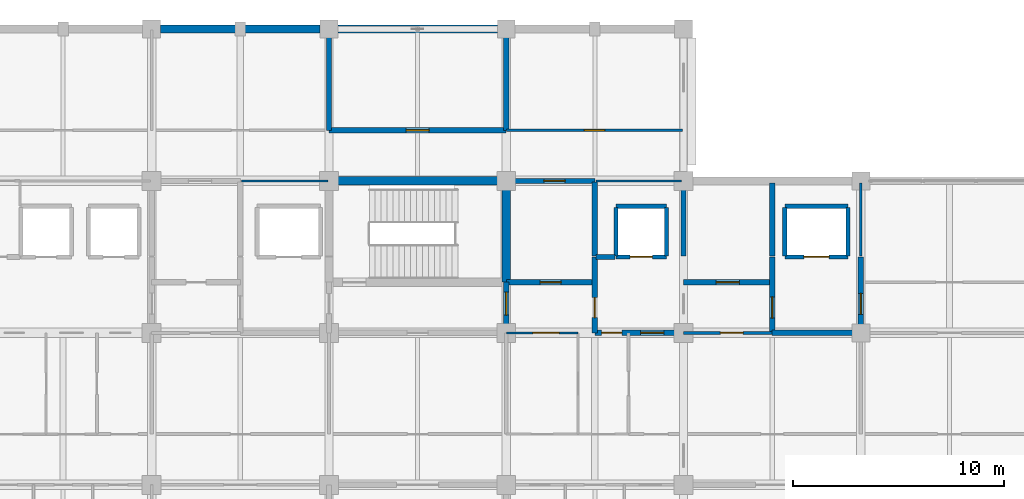
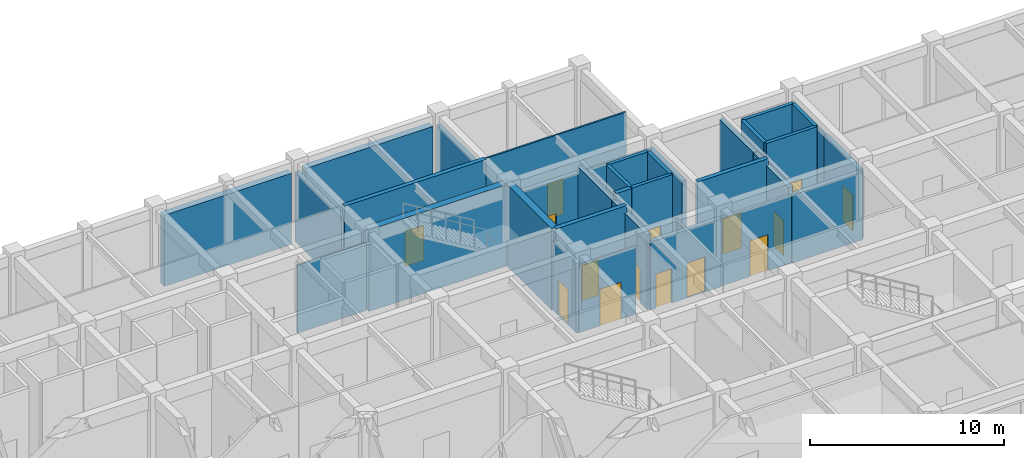
# One storey, part 44 of 58: 34 walls, 15 doors, 15 openings.
"""IFC4 building model written with IfcOpenShell, lengths in metres."""

from ifc_helpers import new_model, si_unit, direction, frame, frame_2d, origin, place, context, subcontext, project, spatial, rectangle, extrude, material, layer, layer_set, type_object, element, fill, save


model = new_model("IFC4")

# Units and contexts
model_context = context("Model", 3, precision=1e-05, world=origin(), true_north=direction((0.0, 1.0)))
body_context = subcontext(model_context, "Body", "Model", "MODEL_VIEW")
ifc_project = project(units=[si_unit("LENGTHUNIT", "METRE"), si_unit("AREAUNIT", "SQUARE_METRE"), si_unit("VOLUMEUNIT", "CUBIC_METRE"), si_unit("PLANEANGLEUNIT", "RADIAN"), si_unit("MASSUNIT", "GRAM", prefix="KILO")], contexts=[model_context])

# Site, building, storey
site_placement = place(None, origin())
site = spatial("IfcSite", under=ifc_project, at=site_placement, CompositionType="ELEMENT")
building_placement = place(site_placement, origin())
building = spatial("IfcBuilding", under=site, at=building_placement, Name="Chengyuan Square Courthouse", CompositionType="ELEMENT")
storey_placement = place(building_placement, frame((0.0, 0.0, 16.199951171875)))
storey = spatial("IfcBuildingStorey", under=building, at=storey_placement, Name="L04", CompositionType="ELEMENT", Elevation=16.199951171875)

# Walls
ifc_material_1 = material(Name="Concrete C40", Category="concrete")
ifc_layer_1 = layer(ifc_material_1, 0.3798828125)
ifc_layer_set_1 = layer_set([ifc_layer_1], Name="Concrete C40")
wall_type_1 = type_object("IfcWallType", Name="WL-EW1", PredefinedType="STANDARD", material=ifc_layer_set_1)
wall_1_placement = place(storey_placement, frame((92.820068359375, 115.199951171875, 0.0), z_axis=(0.0, 0.0, 1.0), x_axis=(1.0, 0.0, 0.0)))
element("IfcWall", 1, at=wall_1_placement, inside=storey, type_object=wall_type_1, Name="Exterior Wall WL-L04-E320", PredefinedType="STANDARD", context=body_context, shape_type="SweptSolid", body=[
    extrude(rectangle(XDim=7.559814453125, YDim=0.3798828125, at=frame_2d((3.77978515625, 0.0))), origin(), (0.0, 0.0, 1.0), 4.469970703125),
])
wall_2_placement = place(storey_placement, frame((101.219970703125, 115.199951171875, 0.0), z_axis=(0.0, 0.0, 1.0), x_axis=(1.0, 0.0, 0.0)))
element("IfcWall", 2, at=wall_2_placement, inside=storey, type_object=wall_type_1, Name="Exterior Wall WL-L04-E321", PredefinedType="STANDARD", context=body_context, shape_type="SweptSolid", body=[
    extrude(rectangle(XDim=7.56005859375, YDim=0.3798828125, at=frame_2d((3.780029296875, 0.0))), origin(), (0.0, 0.0, 1.0), 4.469970703125),
])

# Wall, openings, doors
ifc_layer_2 = layer(ifc_material_1, 0.25)
ifc_layer_set_2 = layer_set([ifc_layer_2], Name="Concrete C40")
wall_type_2 = type_object("IfcWallType", Name="WL-FW1", PredefinedType="STANDARD", material=ifc_layer_set_2)
wall_3_placement = place(storey_placement, frame((113.39990234375, 100.800048828125, 0.0), z_axis=(0.0, 0.0, 1.0), x_axis=(1.0, 0.0, 0.0)))
wall_3 = element("IfcWall", 3, at=wall_3_placement, inside=storey, type_object=wall_type_2, Name="Interior Wall WL-L04-I1851", PredefinedType="STANDARD", context=body_context, shape_type="SweptSolid", body=[
    extrude(rectangle(XDim=4.2001953125, YDim=0.25, at=frame_2d((2.10009765625, 0.0))), origin(), (0.0, 0.0, 1.0), 4.27001953125),
])
opening_1_placement = place(wall_3_placement, frame((0.324951171875, 0.0, 0.0)))
opening_1 = element("IfcOpeningElement", 4, at=opening_1_placement, cuts=wall_3, Name="Opening DR-1708", PredefinedType="OPENING", context=body_context, shape_type="SweptSolid", body=[
    extrude(rectangle(XDim=0.949951171875, YDim=2.14990234375, at=frame_2d((0.47509765625, 1.074951171875))), frame((0.0, 0.136962890625, 0.0), z_axis=(0.0, -1.0, 0.0), x_axis=(1.0, 0.0, 0.0)), (0.0, 0.0, 1.0), 0.27392578125),
])
opening_2_placement = place(wall_3_placement, frame((2.1650390625, 0.0, 0.0)))
opening_2 = element("IfcOpeningElement", 5, at=opening_2_placement, cuts=wall_3, Name="Opening DR-1709", PredefinedType="OPENING", context=body_context, shape_type="SweptSolid", body=[
    extrude(rectangle(XDim=1.10009765625, YDim=2.199951171875, at=frame_2d((0.550048828125, 1.10009765625))), frame((0.0, 0.136962890625, 0.0), z_axis=(0.0, -1.0, 0.0), x_axis=(1.0, 0.0, 0.0)), (0.0, 0.0, 1.0), 0.27392578125),
])
ifc_material_2 = material(Name="Steel Q235B Fire Door", Category="steel")
door_type_1 = type_object("IfcDoorType", Name="DT-10", OperationType="NOTDEFINED", PredefinedType="DOOR", material=ifc_material_2)
door_1_placement = place(opening_2_placement, origin())
door_1 = element("IfcDoor", 6, at=door_1_placement, inside=storey, type_object=door_type_1, Name="Interior Door DR-1709", OperationType="SINGLE_SWING_RIGHT", OverallHeight=2.199951171875, OverallWidth=1.10009765625, PredefinedType="DOOR", context=body_context, shape_type="SweptSolid", body=[
    extrude(rectangle(XDim=1.10009765625, YDim=2.199951171875, at=frame_2d((0.550048828125, 1.10009765625))), frame((0.0, 0.02490234375, 0.0), z_axis=(0.0, -1.0, 0.0), x_axis=(1.0, 0.0, 0.0)), (0.0, 0.0, 1.0), 0.050048828125),
])
fill(opening_2, door_1)
door_type_2 = type_object("IfcDoorType", Name="DT-12", OperationType="NOTDEFINED", PredefinedType="DOOR", material=ifc_material_2)
door_2_placement = place(opening_1_placement, origin())
door_2 = element("IfcDoor", 7, at=door_2_placement, inside=storey, type_object=door_type_2, Name="Interior Door DR-1708", OperationType="SINGLE_SWING_LEFT", OverallHeight=2.14990234375, OverallWidth=0.949951171875, PredefinedType="DOOR", context=body_context, shape_type="SweptSolid", body=[
    extrude(rectangle(XDim=0.949951171875, YDim=2.14990234375, at=frame_2d((0.47509765625, 1.074951171875))), frame((0.0, 0.02490234375, 0.0), z_axis=(0.0, -1.0, 0.0), x_axis=(1.0, 0.0, 0.0)), (0.0, 0.0, 1.0), 0.050048828125),
])
fill(opening_1, door_2)

# Wall
wall_4_placement = place(storey_placement, frame((121.800048828125, 100.800048828125, 0.0), z_axis=(0.0, 0.0, 1.0), x_axis=(1.0, 0.0, 0.0)))
element("IfcWall", 8, at=wall_4_placement, inside=storey, type_object=wall_type_2, Name="Interior Wall WL-L04-I1853", PredefinedType="STANDARD", context=body_context, shape_type="SweptSolid", body=[
    extrude(rectangle(XDim=4.199951171875, YDim=0.25, at=frame_2d((2.10009765625, 0.0))), origin(), (0.0, 0.0, 1.0), 4.27001953125),
])

# Wall, opening, door
wall_5_placement = place(storey_placement, frame((109.199951171875, 103.199951171875, 0.0), z_axis=(0.0, 0.0, 1.0), x_axis=(1.0, 0.0, 0.0)))
wall_5 = element("IfcWall", 9, at=wall_5_placement, inside=storey, type_object=wall_type_2, Name="Interior Wall WL-L04-I1866", PredefinedType="STANDARD", context=body_context, shape_type="SweptSolid", body=[
    extrude(rectangle(XDim=4.199951171875, YDim=0.25, at=frame_2d((2.10009765625, 0.0))), origin(), (0.0, 0.0, 1.0), 5.1201171875),
])
opening_3_placement = place(wall_5_placement, frame((1.60009765625, 0.0, 0.0)))
opening_3 = element("IfcOpeningElement", 10, at=opening_3_placement, cuts=wall_5, Name="Opening DR-1704", PredefinedType="OPENING", context=body_context, shape_type="SweptSolid", body=[
    extrude(rectangle(XDim=1.0, YDim=2.199951171875, at=frame_2d((0.5, 1.10009765625))), frame((0.0, 0.136962890625, 0.0), z_axis=(0.0, -1.0, 0.0), x_axis=(1.0, 0.0, 0.0)), (0.0, 0.0, 1.0), 0.27392578125),
])
door_type_3 = type_object("IfcDoorType", Name="DT-11", OperationType="NOTDEFINED", PredefinedType="DOOR", material=ifc_material_2)
door_3_placement = place(opening_3_placement, origin())
door_3 = element("IfcDoor", 11, at=door_3_placement, inside=storey, type_object=door_type_3, Name="Interior Door DR-1704", OperationType="SINGLE_SWING_LEFT", OverallHeight=2.199951171875, OverallWidth=1.0, PredefinedType="DOOR", context=body_context, shape_type="SweptSolid", body=[
    extrude(rectangle(XDim=1.0, YDim=2.199951171875, at=frame_2d((0.5, 1.10009765625))), frame((0.0, 0.02490234375, 0.0), z_axis=(0.0, -1.0, 0.0), x_axis=(1.0, 0.0, 0.0)), (0.0, 0.0, 1.0), 0.050048828125),
])
fill(opening_3, door_3)

wall_6_placement = place(storey_placement, frame((117.60009765625, 103.199951171875, 0.0), z_axis=(0.0, 0.0, 1.0), x_axis=(1.0, 0.0, 0.0)))
wall_6 = element("IfcWall", 12, at=wall_6_placement, inside=storey, type_object=wall_type_2, Name="Interior Wall WL-L04-I1867", PredefinedType="STANDARD", context=body_context, shape_type="SweptSolid", body=[
    extrude(rectangle(XDim=4.199951171875, YDim=0.25, at=frame_2d((2.10009765625, 0.0))), origin(), (0.0, 0.0, 1.0), 5.1201171875),
])
opening_4_placement = place(wall_6_placement, frame((1.550048828125, 0.0, 0.0)))
opening_4 = element("IfcOpeningElement", 13, at=opening_4_placement, cuts=wall_6, Name="Opening DR-1682", PredefinedType="OPENING", context=body_context, shape_type="SweptSolid", body=[
    extrude(rectangle(XDim=1.10009765625, YDim=2.199951171875, at=frame_2d((0.550048828125, 1.10009765625))), frame((0.0, 0.136962890625, 0.0), z_axis=(0.0, -1.0, 0.0), x_axis=(1.0, 0.0, 0.0)), (0.0, 0.0, 1.0), 0.27392578125),
])
door_4_placement = place(opening_4_placement, origin())
door_4 = element("IfcDoor", 14, at=door_4_placement, inside=storey, type_object=door_type_1, Name="Interior Door DR-1682", OperationType="SINGLE_SWING_RIGHT", OverallHeight=2.199951171875, OverallWidth=1.10009765625, PredefinedType="DOOR", context=body_context, shape_type="SweptSolid", body=[
    extrude(rectangle(XDim=1.10009765625, YDim=2.199951171875, at=frame_2d((0.550048828125, 1.10009765625))), frame((0.0, 0.02490234375, 0.0), z_axis=(0.0, -1.0, 0.0), x_axis=(1.0, 0.0, 0.0)), (0.0, 0.0, 1.0), 0.050048828125),
])
fill(opening_4, door_4)

# Wall
wall_7_placement = place(storey_placement, frame((113.449951171875, 104.39990234375, 0.0), z_axis=(0.0, 0.0, 1.0), x_axis=(1.0, 0.0, 0.0)))
element("IfcWall", 15, at=wall_7_placement, inside=storey, type_object=wall_type_2, Name="Interior Wall WL-L04-I1879", PredefinedType="STANDARD", context=body_context, shape_type="SweptSolid", body=[
    extrude(rectangle(XDim=0.900146484375, YDim=0.25, at=frame_2d((0.4501953125, 0.0))), origin(), (0.0, 0.0, 1.0), 5.1201171875),
])

# Wall, opening, door
wall_8_placement = place(storey_placement, frame((109.199951171875, 108.0, 0.0), z_axis=(0.0, 0.0, 1.0), x_axis=(1.0, 0.0, 0.0)))
wall_8 = element("IfcWall", 16, at=wall_8_placement, inside=storey, type_object=wall_type_2, Name="Interior Wall WL-L04-I1903", PredefinedType="STANDARD", context=body_context, shape_type="SweptSolid", body=[
    extrude(rectangle(XDim=4.199951171875, YDim=0.25, at=frame_2d((2.10009765625, 0.0))), origin(), (0.0, 0.0, 1.0), 4.27001953125),
])
opening_5_placement = place(wall_8_placement, frame((1.784912109375, 0.0, 0.0)))
opening_5 = element("IfcOpeningElement", 17, at=opening_5_placement, cuts=wall_8, Name="Opening DR-1707", PredefinedType="OPENING", context=body_context, shape_type="SweptSolid", body=[
    extrude(rectangle(XDim=1.0, YDim=2.199951171875, at=frame_2d((0.5, 1.10009765625))), frame((0.0, 0.136962890625, 0.0), z_axis=(0.0, -1.0, 0.0), x_axis=(1.0, 0.0, 0.0)), (0.0, 0.0, 1.0), 0.27392578125),
])
door_5_placement = place(opening_5_placement, origin())
door_5 = element("IfcDoor", 18, at=door_5_placement, inside=storey, type_object=door_type_3, Name="Interior Door DR-1707", OperationType="SINGLE_SWING_RIGHT", OverallHeight=2.199951171875, OverallWidth=1.0, PredefinedType="DOOR", context=body_context, shape_type="SweptSolid", body=[
    extrude(rectangle(XDim=1.0, YDim=2.199951171875, at=frame_2d((0.5, 1.10009765625))), frame((0.0, 0.02490234375, 0.0), z_axis=(0.0, -1.0, 0.0), x_axis=(1.0, 0.0, 0.0)), (0.0, 0.0, 1.0), 0.050048828125),
])
fill(opening_5, door_5)

wall_9_placement = place(storey_placement, frame((100.800048828125, 110.39990234375, 0.0), z_axis=(0.0, 0.0, 1.0), x_axis=(1.0, 0.0, 0.0)))
wall_9 = element("IfcWall", 19, at=wall_9_placement, inside=storey, type_object=wall_type_2, Name="Interior Wall WL-L04-I1908", PredefinedType="STANDARD", context=body_context, shape_type="SweptSolid", body=[
    extrude(rectangle(XDim=8.39990234375, YDim=0.25, at=frame_2d((4.199951171875, 0.0))), origin(), (0.0, 0.0, 1.0), 5.1201171875),
])
opening_6_placement = place(wall_9_placement, frame((3.64990234375, 0.0, 0.0)))
opening_6 = element("IfcOpeningElement", 20, at=opening_6_placement, cuts=wall_9, Name="Opening DR-1868", PredefinedType="OPENING", context=body_context, shape_type="SweptSolid", body=[
    extrude(rectangle(XDim=1.10009765625, YDim=2.199951171875, at=frame_2d((0.550048828125, 1.10009765625))), frame((0.0, 0.136962890625, 0.0), z_axis=(0.0, -1.0, 0.0), x_axis=(1.0, 0.0, 0.0)), (0.0, 0.0, 1.0), 0.27392578125),
])
door_6_placement = place(opening_6_placement, origin())
door_6 = element("IfcDoor", 21, at=door_6_placement, inside=storey, type_object=door_type_1, Name="Interior Door DR-1868", OperationType="SINGLE_SWING_LEFT", OverallHeight=2.199951171875, OverallWidth=1.10009765625, PredefinedType="DOOR", context=body_context, shape_type="SweptSolid", body=[
    extrude(rectangle(XDim=1.10009765625, YDim=2.199951171875, at=frame_2d((0.550048828125, 1.10009765625))), frame((0.0, 0.02490234375, 0.0), z_axis=(0.0, -1.0, 0.0), x_axis=(1.0, 0.0, 0.0)), (0.0, 0.0, 1.0), 0.050048828125),
])
fill(opening_6, door_6)

# Wall
wall_10_placement = place(storey_placement, frame((100.800048828125, 110.39990234375, 0.0), z_axis=(0.0, 0.0, 1.0), x_axis=(0.0, 1.0, 0.0)))
element("IfcWall", 22, at=wall_10_placement, inside=storey, type_object=wall_type_2, Name="Interior Wall WL-L04-I2038", PredefinedType="STANDARD", context=body_context, shape_type="SweptSolid", body=[
    extrude(rectangle(XDim=4.760009765625, YDim=0.25, at=frame_2d((2.3798828125, 0.0))), origin(), (0.0, 0.0, 1.0), 4.3701171875),
])

# Wall, opening, door
wall_11_placement = place(storey_placement, frame((109.199951171875, 100.800048828125, 0.0), z_axis=(0.0, 0.0, 1.0), x_axis=(0.0, 1.0, 0.0)))
wall_11 = element("IfcWall", 23, at=wall_11_placement, inside=storey, type_object=wall_type_2, Name="Interior Wall WL-L04-I2042", PredefinedType="STANDARD", context=body_context, shape_type="SweptSolid", body=[
    extrude(rectangle(XDim=2.39990234375, YDim=0.25, at=frame_2d((1.199951171875, 0.0))), origin(), (0.0, 0.0, 1.0), 4.3701171875),
])
opening_7_placement = place(wall_11_placement, frame((0.8349609375, 0.0, 0.0)))
opening_7 = element("IfcOpeningElement", 24, at=opening_7_placement, cuts=wall_11, Name="Opening DR-1637", PredefinedType="OPENING", context=body_context, shape_type="SweptSolid", body=[
    extrude(rectangle(XDim=1.10009765625, YDim=2.199951171875, at=frame_2d((0.550048828125, 1.10009765625))), frame((0.0, 0.136962890625, 0.0), z_axis=(0.0, -1.0, 0.0), x_axis=(1.0, 0.0, 0.0)), (0.0, 0.0, 1.0), 0.27392578125),
])
door_7_placement = place(opening_7_placement, origin())
door_7 = element("IfcDoor", 25, at=door_7_placement, inside=storey, type_object=door_type_1, Name="Interior Door DR-1637", OperationType="SINGLE_SWING_LEFT", OverallHeight=2.199951171875, OverallWidth=1.10009765625, PredefinedType="DOOR", context=body_context, shape_type="SweptSolid", body=[
    extrude(rectangle(XDim=1.10009765625, YDim=2.199951171875, at=frame_2d((0.550048828125, 1.10009765625))), frame((0.0, 0.02490234375, 0.0), z_axis=(0.0, -1.0, 0.0), x_axis=(1.0, 0.0, 0.0)), (0.0, 0.0, 1.0), 0.050048828125),
])
fill(opening_7, door_7)

# Wall
wall_12_placement = place(storey_placement, frame((109.199951171875, 110.39990234375, 0.0), z_axis=(0.0, 0.0, 1.0), x_axis=(0.0, 1.0, 0.0)))
element("IfcWall", 26, at=wall_12_placement, inside=storey, type_object=wall_type_2, Name="Interior Wall WL-L04-I2044", PredefinedType="STANDARD", context=body_context, shape_type="SweptSolid", body=[
    extrude(rectangle(XDim=4.760009765625, YDim=0.25, at=frame_2d((2.3798828125, 0.0))), origin(), (0.0, 0.0, 1.0), 4.3701171875),
])

# Wall, opening, door
wall_13_placement = place(storey_placement, frame((113.39990234375, 100.800048828125, 0.0), z_axis=(0.0, 0.0, 1.0), x_axis=(0.0, 1.0, 0.0)))
wall_13 = element("IfcWall", 27, at=wall_13_placement, inside=storey, type_object=wall_type_2, Name="Interior Wall WL-L04-I2047", PredefinedType="STANDARD", context=body_context, shape_type="SweptSolid", body=[
    extrude(rectangle(XDim=3.599853515625, YDim=0.25, at=frame_2d((1.7998046875, 0.0))), origin(), (0.0, 0.0, 1.0), 4.670166015625),
])
opening_8_placement = place(wall_13_placement, frame((0.72509765625, 0.0, 0.0)))
opening_8 = element("IfcOpeningElement", 28, at=opening_8_placement, cuts=wall_13, Name="Opening DR-1705", PredefinedType="OPENING", context=body_context, shape_type="SweptSolid", body=[
    extrude(rectangle(XDim=0.949951171875, YDim=2.14990234375, at=frame_2d((0.47509765625, 1.074951171875))), frame((0.0, 0.136962890625, 0.0), z_axis=(0.0, -1.0, 0.0), x_axis=(1.0, 0.0, 0.0)), (0.0, 0.0, 1.0), 0.27392578125),
])
door_8_placement = place(opening_8_placement, origin())
door_8 = element("IfcDoor", 29, at=door_8_placement, inside=storey, type_object=door_type_2, Name="Interior Door DR-1705", OperationType="SINGLE_SWING_RIGHT", OverallHeight=2.14990234375, OverallWidth=0.949951171875, PredefinedType="DOOR", context=body_context, shape_type="SweptSolid", body=[
    extrude(rectangle(XDim=0.949951171875, YDim=2.14990234375, at=frame_2d((0.47509765625, 1.074951171875))), frame((0.0, 0.02490234375, 0.0), z_axis=(0.0, -1.0, 0.0), x_axis=(1.0, 0.0, 0.0)), (0.0, 0.0, 1.0), 0.050048828125),
])
fill(opening_8, door_8)

# Walls
wall_14_placement = place(storey_placement, frame((113.39990234375, 104.449951171875, 0.0), z_axis=(0.0, 0.0, 1.0), x_axis=(0.0, 1.0, 0.0)))
element("IfcWall", 30, at=wall_14_placement, inside=storey, type_object=wall_type_2, Name="Interior Wall WL-L04-I2048", PredefinedType="STANDARD", context=body_context, shape_type="SweptSolid", body=[
    extrude(rectangle(XDim=3.5, YDim=0.25, at=frame_2d((1.75, 0.0))), origin(), (0.0, 0.0, 1.0), 4.670166015625),
])
wall_15_placement = place(storey_placement, frame((117.60009765625, 104.449951171875, 0.0), z_axis=(0.0, 0.0, 1.0), x_axis=(0.0, 1.0, 0.0)))
element("IfcWall", 31, at=wall_15_placement, inside=storey, type_object=wall_type_2, Name="Interior Wall WL-L04-I2056", PredefinedType="STANDARD", context=body_context, shape_type="SweptSolid", body=[
    extrude(rectangle(XDim=3.4599609375, YDim=0.25, at=frame_2d((1.72998046875, 0.0))), origin(), (0.0, 0.0, 1.0), 4.3701171875),
])

# Wall, opening, door
wall_16_placement = place(storey_placement, frame((121.800048828125, 100.800048828125, 0.0), z_axis=(0.0, 0.0, 1.0), x_axis=(0.0, 1.0, 0.0)))
wall_16 = element("IfcWall", 32, at=wall_16_placement, inside=storey, type_object=wall_type_2, Name="Interior Wall WL-L04-I2057", PredefinedType="STANDARD", context=body_context, shape_type="SweptSolid", body=[
    extrude(rectangle(XDim=3.599853515625, YDim=0.25, at=frame_2d((1.7998046875, 0.0))), origin(), (0.0, 0.0, 1.0), 4.719970703125),
])
opening_9_placement = place(wall_16_placement, frame((0.699951171875, 0.0, 0.0)))
opening_9 = element("IfcOpeningElement", 33, at=opening_9_placement, cuts=wall_16, Name="Opening DR-1683", PredefinedType="OPENING", context=body_context, shape_type="SweptSolid", body=[
    extrude(rectangle(XDim=1.0, YDim=2.199951171875, at=frame_2d((0.5, 1.10009765625))), frame((0.0, 0.136962890625, 0.0), z_axis=(0.0, -1.0, 0.0), x_axis=(1.0, 0.0, 0.0)), (0.0, 0.0, 1.0), 0.27392578125),
])
door_9_placement = place(opening_9_placement, origin())
door_9 = element("IfcDoor", 34, at=door_9_placement, inside=storey, type_object=door_type_3, Name="Interior Door DR-1683", OperationType="SINGLE_SWING_LEFT", OverallHeight=2.199951171875, OverallWidth=1.0, PredefinedType="DOOR", context=body_context, shape_type="SweptSolid", body=[
    extrude(rectangle(XDim=1.0, YDim=2.199951171875, at=frame_2d((0.5, 1.10009765625))), frame((0.0, 0.02490234375, 0.0), z_axis=(0.0, -1.0, 0.0), x_axis=(1.0, 0.0, 0.0)), (0.0, 0.0, 1.0), 0.050048828125),
])
fill(opening_9, door_9)

# Wall
wall_17_placement = place(storey_placement, frame((121.800048828125, 104.449951171875, 0.0), z_axis=(0.0, 0.0, 1.0), x_axis=(0.0, 1.0, 0.0)))
element("IfcWall", 35, at=wall_17_placement, inside=storey, type_object=wall_type_2, Name="Interior Wall WL-L04-I2058", PredefinedType="STANDARD", context=body_context, shape_type="SweptSolid", body=[
    extrude(rectangle(XDim=3.4599609375, YDim=0.25, at=frame_2d((1.72998046875, 0.0))), origin(), (0.0, 0.0, 1.0), 4.719970703125),
])

# Wall, opening, door
wall_18_placement = place(storey_placement, frame((126.0, 100.800048828125, 0.0), z_axis=(0.0, 0.0, 1.0), x_axis=(0.0, 1.0, 0.0)))
wall_18 = element("IfcWall", 36, at=wall_18_placement, inside=storey, type_object=wall_type_2, Name="Interior Wall WL-L04-I2065", PredefinedType="STANDARD", context=body_context, shape_type="SweptSolid", body=[
    extrude(rectangle(XDim=3.599853515625, YDim=0.25, at=frame_2d((1.7998046875, 0.0))), origin(), (0.0, 0.0, 1.0), 4.3701171875),
])
opening_10_placement = place(wall_18_placement, frame((0.87255859375, 0.0, 0.0)))
opening_10 = element("IfcOpeningElement", 37, at=opening_10_placement, cuts=wall_18, Name="Opening DR-1686", PredefinedType="OPENING", context=body_context, shape_type="SweptSolid", body=[
    extrude(rectangle(XDim=1.0, YDim=2.199951171875, at=frame_2d((0.5, 1.10009765625))), frame((0.0, 0.136962890625, 0.0), z_axis=(0.0, -1.0, 0.0), x_axis=(1.0, 0.0, 0.0)), (0.0, 0.0, 1.0), 0.27392578125),
])
door_10_placement = place(opening_10_placement, origin())
door_10 = element("IfcDoor", 38, at=door_10_placement, inside=storey, type_object=door_type_3, Name="Interior Door DR-1686", OperationType="SINGLE_SWING_RIGHT", OverallHeight=2.199951171875, OverallWidth=1.0, PredefinedType="DOOR", context=body_context, shape_type="SweptSolid", body=[
    extrude(rectangle(XDim=1.0, YDim=2.199951171875, at=frame_2d((0.5, 1.10009765625))), frame((0.0, 0.02490234375, 0.0), z_axis=(0.0, -1.0, 0.0), x_axis=(1.0, 0.0, 0.0)), (0.0, 0.0, 1.0), 0.050048828125),
])
fill(opening_10, door_10)

ifc_material_3 = material(Name="Deliberation Room Sound-Insulated Partition")
ifc_layer_3 = layer(ifc_material_3, 0.14990234375)
ifc_layer_set_3 = layer_set([ifc_layer_3], Name="Deliberation Room Sound-Insulated Partition")
wall_type_3 = type_object("IfcWallType", Name="WL-PT3", PredefinedType="STANDARD", material=ifc_layer_set_3)
wall_19_placement = place(storey_placement, frame((117.60009765625, 100.800048828125, 0.0), z_axis=(0.0, 0.0, 1.0), x_axis=(1.0, 0.0, 0.0)))
wall_19 = element("IfcWall", 39, at=wall_19_placement, inside=storey, type_object=wall_type_3, Name="Interior Wall WL-L04-I1852", PredefinedType="STANDARD", context=body_context, shape_type="SweptSolid", body=[
    extrude(rectangle(XDim=4.199951171875, YDim=0.14990234375, at=frame_2d((2.10009765625, 0.0))), origin(), (0.0, 0.0, 1.0), 4.27001953125),
])
opening_11_placement = place(wall_19_placement, frame((1.7451171875, 0.0, 0.0)))
opening_11 = element("IfcOpeningElement", 40, at=opening_11_placement, cuts=wall_19, Name="Opening DR-1685", PredefinedType="OPENING", context=body_context, shape_type="SweptSolid", body=[
    extrude(rectangle(XDim=1.080078125, YDim=2.25, at=frame_2d((0.5400390625, 1.125))), frame((0.0, 0.0869140625, 0.0), z_axis=(0.0, -1.0, 0.0), x_axis=(1.0, 0.0, 0.0)), (0.0, 0.0, 1.0), 0.173828125),
])
ifc_material_4 = material(Name="Acoustic Solid-Core Timber Door", Category="wood")
door_type_4 = type_object("IfcDoorType", Name="DT-33", OperationType="NOTDEFINED", PredefinedType="DOOR", material=ifc_material_4)
door_11_placement = place(opening_11_placement, origin())
door_11 = element("IfcDoor", 41, at=door_11_placement, inside=storey, type_object=door_type_4, Name="Interior Door DR-1685", OperationType="SINGLE_SWING_LEFT", OverallHeight=2.25, OverallWidth=1.080078125, PredefinedType="DOOR", context=body_context, shape_type="SweptSolid", body=[
    extrude(rectangle(XDim=1.080078125, YDim=2.25, at=frame_2d((0.5400390625, 1.125))), frame((0.0, 0.02490234375, 0.0), z_axis=(0.0, -1.0, 0.0), x_axis=(1.0, 0.0, 0.0)), (0.0, 0.0, 1.0), 0.050048828125),
])
fill(opening_11, door_11)

ifc_material_5 = material(Name="Gypsum Plasterboard Acoustic Stud Partition")
ifc_layer_4 = layer(ifc_material_5, 0.10009765625)
ifc_layer_set_4 = layer_set([ifc_layer_4], Name="Gypsum Plasterboard Acoustic Stud Partition")
wall_type_4 = type_object("IfcWallType", Name="WL-PT6", PredefinedType="STANDARD", material=ifc_layer_set_4)
wall_20_placement = place(storey_placement, frame((109.199951171875, 100.800048828125, 0.0), z_axis=(0.0, 0.0, 1.0), x_axis=(1.0, 0.0, 0.0)))
wall_20 = element("IfcWall", 42, at=wall_20_placement, inside=storey, type_object=wall_type_4, Name="Interior Wall WL-L04-I1850", PredefinedType="STANDARD", context=body_context, shape_type="SweptSolid", body=[
    extrude(rectangle(XDim=3.400146484375, YDim=0.10009765625, at=frame_2d((1.7001953125, 0.0))), origin(), (0.0, 0.0, 1.0), 4.27001953125),
])
opening_12_placement = place(wall_20_placement, frame((1.264892578125, 0.0, 0.0)))
opening_12 = element("IfcOpeningElement", 43, at=opening_12_placement, cuts=wall_20, Name="Opening DR-1706", PredefinedType="OPENING", context=body_context, shape_type="SweptSolid", body=[
    extrude(rectangle(XDim=1.239990234375, YDim=2.300048828125, at=frame_2d((0.6201171875, 1.14990234375))), frame((0.0, 0.06201171875, 0.0), z_axis=(0.0, -1.0, 0.0), x_axis=(1.0, 0.0, 0.0)), (0.0, 0.0, 1.0), 0.1240234375),
])
door_type_5 = type_object("IfcDoorType", Name="DT-37", OperationType="NOTDEFINED", PredefinedType="DOOR", material=ifc_material_4)
door_12_placement = place(opening_12_placement, origin())
door_12 = element("IfcDoor", 44, at=door_12_placement, inside=storey, type_object=door_type_5, Name="Interior Door DR-1706", OperationType="SINGLE_SWING_LEFT", OverallHeight=2.300048828125, OverallWidth=1.239990234375, PredefinedType="DOOR", context=body_context, shape_type="SweptSolid", body=[
    extrude(rectangle(XDim=1.239990234375, YDim=2.300048828125, at=frame_2d((0.6201171875, 1.14990234375))), frame((0.0, 0.02490234375, 0.0), z_axis=(0.0, -1.0, 0.0), x_axis=(1.0, 0.0, 0.0)), (0.0, 0.0, 1.0), 0.050048828125),
])
fill(opening_12, door_12)

# Walls
wall_21_placement = place(storey_placement, frame((96.64990234375, 108.0, 0.0), z_axis=(0.0, 0.0, 1.0), x_axis=(1.0, 0.0, 0.0)))
element("IfcWall", 45, at=wall_21_placement, inside=storey, type_object=wall_type_4, Name="Interior Wall WL-L04-I1901", PredefinedType="STANDARD", context=body_context, shape_type="SweptSolid", body=[
    extrude(rectangle(XDim=4.10009765625, YDim=0.10009765625, at=frame_2d((2.050048828125, 0.0))), origin(), (0.0, 0.0, 1.0), 4.27001953125),
])
wall_22_placement = place(storey_placement, frame((113.449951171875, 108.0, 0.0), z_axis=(0.0, 0.0, 1.0), x_axis=(1.0, 0.0, 0.0)))
element("IfcWall", 46, at=wall_22_placement, inside=storey, type_object=wall_type_4, Name="Interior Wall WL-L04-I1904", PredefinedType="STANDARD", context=body_context, shape_type="SweptSolid", body=[
    extrude(rectangle(XDim=4.06005859375, YDim=0.10009765625, at=frame_2d((2.030029296875, 0.0))), origin(), (0.0, 0.0, 1.0), 4.27001953125),
])

# Wall, opening, door
wall_23_placement = place(storey_placement, frame((109.199951171875, 110.39990234375, 0.0), z_axis=(0.0, 0.0, 1.0), x_axis=(1.0, 0.0, 0.0)))
wall_23 = element("IfcWall", 47, at=wall_23_placement, inside=storey, type_object=wall_type_4, Name="Interior Wall WL-L04-I1909", PredefinedType="STANDARD", context=body_context, shape_type="SweptSolid", body=[
    extrude(rectangle(XDim=8.360107421875, YDim=0.10009765625, at=frame_2d((4.18017578125, 0.0))), origin(), (0.0, 0.0, 1.0), 5.1201171875),
])
opening_13_placement = place(wall_23_placement, frame((3.699951171875, 0.0, 0.0)))
opening_13 = element("IfcOpeningElement", 48, at=opening_13_placement, cuts=wall_23, Name="Opening DR-1869", PredefinedType="OPENING", context=body_context, shape_type="SweptSolid", body=[
    extrude(rectangle(XDim=0.9599609375, YDim=2.199951171875, at=frame_2d((0.47998046875, 1.10009765625))), frame((0.0, 0.06201171875, 0.0), z_axis=(0.0, -1.0, 0.0), x_axis=(1.0, 0.0, 0.0)), (0.0, 0.0, 1.0), 0.1240234375),
])
door_type_6 = type_object("IfcDoorType", Name="DT-30", OperationType="NOTDEFINED", PredefinedType="DOOR", material=ifc_material_4)
door_13_placement = place(opening_13_placement, origin())
door_13 = element("IfcDoor", 49, at=door_13_placement, inside=storey, type_object=door_type_6, Name="Interior Door DR-1869", OperationType="SINGLE_SWING_RIGHT", OverallHeight=2.199951171875, OverallWidth=0.9599609375, PredefinedType="DOOR", context=body_context, shape_type="SweptSolid", body=[
    extrude(rectangle(XDim=0.9599609375, YDim=2.199951171875, at=frame_2d((0.47998046875, 1.10009765625))), frame((0.0, 0.02490234375, 0.0), z_axis=(0.0, -1.0, 0.0), x_axis=(1.0, 0.0, 0.0)), (0.0, 0.0, 1.0), 0.050048828125),
])
fill(opening_13, door_13)

# Wall
wall_24_placement = place(storey_placement, frame((126.0, 104.449951171875, 0.0), z_axis=(0.0, 0.0, 1.0), x_axis=(0.0, 1.0, 0.0)))
element("IfcWall", 50, at=wall_24_placement, inside=storey, type_object=wall_type_4, Name="Interior Wall WL-L04-I2066", PredefinedType="STANDARD", context=body_context, shape_type="SweptSolid", body=[
    extrude(rectangle(XDim=3.4599609375, YDim=0.10009765625, at=frame_2d((1.72998046875, 0.0))), origin(), (0.0, 0.0, 1.0), 4.3701171875),
])

# Wall, opening, door
ifc_material_6 = material(Name="Reinforced Masonry Shaft Enclosure", Category="masonry")
ifc_layer_5 = layer(ifc_material_6, 0.199951171875)
ifc_layer_set_5 = layer_set([ifc_layer_5], Name="Reinforced Masonry Shaft Enclosure")
wall_type_5 = type_object("IfcWallType", Name="WL-SH1", PredefinedType="STANDARD", material=ifc_layer_set_5)
wall_25_placement = place(storey_placement, frame((114.39990234375, 104.39990234375, 0.0), z_axis=(0.0, 0.0, 1.0), x_axis=(1.0, 0.0, 0.0)))
wall_25 = element("IfcWall", 51, at=wall_25_placement, inside=storey, type_object=wall_type_5, Name="Interior Wall WL-L04-I1880", PredefinedType="STANDARD", context=body_context, shape_type="SweptSolid", body=[
    extrude(rectangle(XDim=2.400146484375, YDim=0.199951171875, at=frame_2d((1.2001953125, 0.0))), origin(), (0.0, 0.0, 1.0), 5.1201171875),
])
opening_14_placement = place(wall_25_placement, frame((0.675048828125, 0.0, 0.0)))
opening_14 = element("IfcOpeningElement", 52, at=opening_14_placement, cuts=wall_25, Name="Opening LD-084", PredefinedType="OPENING", context=body_context, shape_type="SweptSolid", body=[
    extrude(rectangle(XDim=1.050048828125, YDim=2.14990234375, at=frame_2d((0.52490234375, 1.074951171875))), frame((0.0, 0.112060546875, 0.0), z_axis=(0.0, -1.0, 0.0), x_axis=(1.0, 0.0, 0.0)), (0.0, 0.0, 1.0), 0.223876953125),
])
ifc_material_7 = material(Name="Stainless Steel S30408 Lift Landing Door", Category="steel")
door_type_7 = type_object("IfcDoorType", Name="DT-08", OperationType="DOUBLE_DOOR_SLIDING", PredefinedType="DOOR", material=ifc_material_7)
door_14_placement = place(opening_14_placement, origin())
door_14 = element("IfcDoor", 53, at=door_14_placement, inside=storey, type_object=door_type_7, Name="Lift Landing Door LF-C2 L04", OperationType="DOUBLE_DOOR_SLIDING", OverallHeight=2.14990234375, OverallWidth=1.050048828125, PredefinedType="DOOR", context=body_context, shape_type="SweptSolid", body=[
    extrude(rectangle(XDim=1.050048828125, YDim=2.14990234375, at=frame_2d((0.52490234375, 1.074951171875))), frame((0.0, 0.02490234375, 0.0), z_axis=(0.0, -1.0, 0.0), x_axis=(1.0, 0.0, 0.0)), (0.0, 0.0, 1.0), 0.050048828125),
])
fill(opening_14, door_14)

wall_26_placement = place(storey_placement, frame((122.39990234375, 104.39990234375, 0.0), z_axis=(0.0, 0.0, 1.0), x_axis=(1.0, 0.0, 0.0)))
wall_26 = element("IfcWall", 54, at=wall_26_placement, inside=storey, type_object=wall_type_5, Name="Interior Wall WL-L04-I1881", PredefinedType="STANDARD", context=body_context, shape_type="SweptSolid", body=[
    extrude(rectangle(XDim=3.0, YDim=0.199951171875, at=frame_2d((1.5, 0.0))), origin(), (0.0, 0.0, 1.0), 5.1201171875),
])
opening_15_placement = place(wall_26_placement, frame((0.89990234375, 0.0, 0.0)))
opening_15 = element("IfcOpeningElement", 55, at=opening_15_placement, cuts=wall_26, Name="Opening LD-072", PredefinedType="OPENING", context=body_context, shape_type="SweptSolid", body=[
    extrude(rectangle(XDim=1.199951171875, YDim=2.14990234375, at=frame_2d((0.60009765625, 1.074951171875))), frame((0.0, 0.112060546875, 0.0), z_axis=(0.0, -1.0, 0.0), x_axis=(1.0, 0.0, 0.0)), (0.0, 0.0, 1.0), 0.223876953125),
])
door_type_8 = type_object("IfcDoorType", Name="DT-05", OperationType="DOUBLE_DOOR_SLIDING", PredefinedType="DOOR", material=ifc_material_7)
door_15_placement = place(opening_15_placement, origin())
door_15 = element("IfcDoor", 56, at=door_15_placement, inside=storey, type_object=door_type_8, Name="Lift Landing Door LF-F4 L04", OperationType="DOUBLE_DOOR_SLIDING", OverallHeight=2.14990234375, OverallWidth=1.199951171875, PredefinedType="DOOR", context=body_context, shape_type="SweptSolid", body=[
    extrude(rectangle(XDim=1.199951171875, YDim=2.14990234375, at=frame_2d((0.60009765625, 1.074951171875))), frame((0.0, 0.02490234375, 0.0), z_axis=(0.0, -1.0, 0.0), x_axis=(1.0, 0.0, 0.0)), (0.0, 0.0, 1.0), 0.050048828125),
])
fill(opening_15, door_15)

# Walls
wall_27_placement = place(storey_placement, frame((114.39990234375, 106.800048828125, 0.0), z_axis=(0.0, 0.0, 1.0), x_axis=(1.0, 0.0, 0.0)))
element("IfcWall", 57, at=wall_27_placement, inside=storey, type_object=wall_type_5, Name="Interior Wall WL-L04-I1890", PredefinedType="STANDARD", context=body_context, shape_type="SweptSolid", body=[
    extrude(rectangle(XDim=2.400146484375, YDim=0.199951171875, at=frame_2d((1.2001953125, 0.0))), origin(), (0.0, 0.0, 1.0), 5.1201171875),
])
wall_28_placement = place(storey_placement, frame((122.39990234375, 106.800048828125, 0.0), z_axis=(0.0, 0.0, 1.0), x_axis=(1.0, 0.0, 0.0)))
element("IfcWall", 58, at=wall_28_placement, inside=storey, type_object=wall_type_5, Name="Interior Wall WL-L04-I1891", PredefinedType="STANDARD", context=body_context, shape_type="SweptSolid", body=[
    extrude(rectangle(XDim=3.0, YDim=0.199951171875, at=frame_2d((1.5, 0.0))), origin(), (0.0, 0.0, 1.0), 5.1201171875),
])
for number, where, z_axis, x_axis, name in (
    (59, (114.39990234375, 104.449951171875, 0.0), (0.0, 0.0, 1.0), (0.0, 1.0, 0.0), "Interior Wall WL-L04-I2049"),
    (60, (116.800048828125, 104.449951171875, 0.0), (0.0, 0.0, 1.0), (0.0, 1.0, 0.0), "Interior Wall WL-L04-I2052"),
    (61, (122.39990234375, 104.449951171875, 0.0), (0.0, 0.0, 1.0), (0.0, 1.0, 0.0), "Interior Wall WL-L04-I2059"),
    (62, (125.39990234375, 104.449951171875, 0.0), (0.0, 0.0, 1.0), (0.0, 1.0, 0.0), "Interior Wall WL-L04-I2060"),
):
    element("IfcWall", number, at=place(storey_placement, frame(where, z_axis=z_axis, x_axis=x_axis)), inside=storey, type_object=wall_type_5, Name=name, PredefinedType="STANDARD", context=body_context, shape_type="SweptSolid", body=[
        extrude(rectangle(XDim=2.300048828125, YDim=0.199951171875, at=frame_2d((1.14990234375, 0.0))), origin(), (0.0, 0.0, 1.0), 5.1201171875),
    ])
ifc_material_8 = material(Name="Concrete C50", Category="concrete")
ifc_layer_6 = layer(ifc_material_8, 0.39990234375)
ifc_layer_set_6 = layer_set([ifc_layer_6], Name="Concrete C50")
wall_type_6 = type_object("IfcWallType", Name="WL-SW1", PredefinedType="SHEAR", material=ifc_layer_set_6)
wall_29_placement = place(storey_placement, frame((100.800048828125, 108.0, 0.0), z_axis=(0.0, 0.0, 1.0), x_axis=(1.0, 0.0, 0.0)))
element("IfcWall", 63, at=wall_29_placement, inside=storey, type_object=wall_type_6, Name="Interior Wall WL-L04-I1902", PredefinedType="SHEAR", context=body_context, shape_type="SweptSolid", body=[
    extrude(rectangle(XDim=8.39990234375, YDim=0.39990234375, at=frame_2d((4.199951171875, 0.0))), origin(), (0.0, 0.0, 1.0), 5.1201171875),
])
wall_30_placement = place(storey_placement, frame((109.199951171875, 103.199951171875, 0.0), z_axis=(0.0, 0.0, 1.0), x_axis=(0.0, 1.0, 0.0)))
element("IfcWall", 64, at=wall_30_placement, inside=storey, type_object=wall_type_6, Name="Interior Wall WL-L04-I2043", PredefinedType="SHEAR", context=body_context, shape_type="SweptSolid", body=[
    extrude(rectangle(XDim=4.800048828125, YDim=0.39990234375, at=frame_2d((2.39990234375, 0.0))), origin(), (0.0, 0.0, 1.0), 5.1201171875),
])

save(model, "model.ifc")
